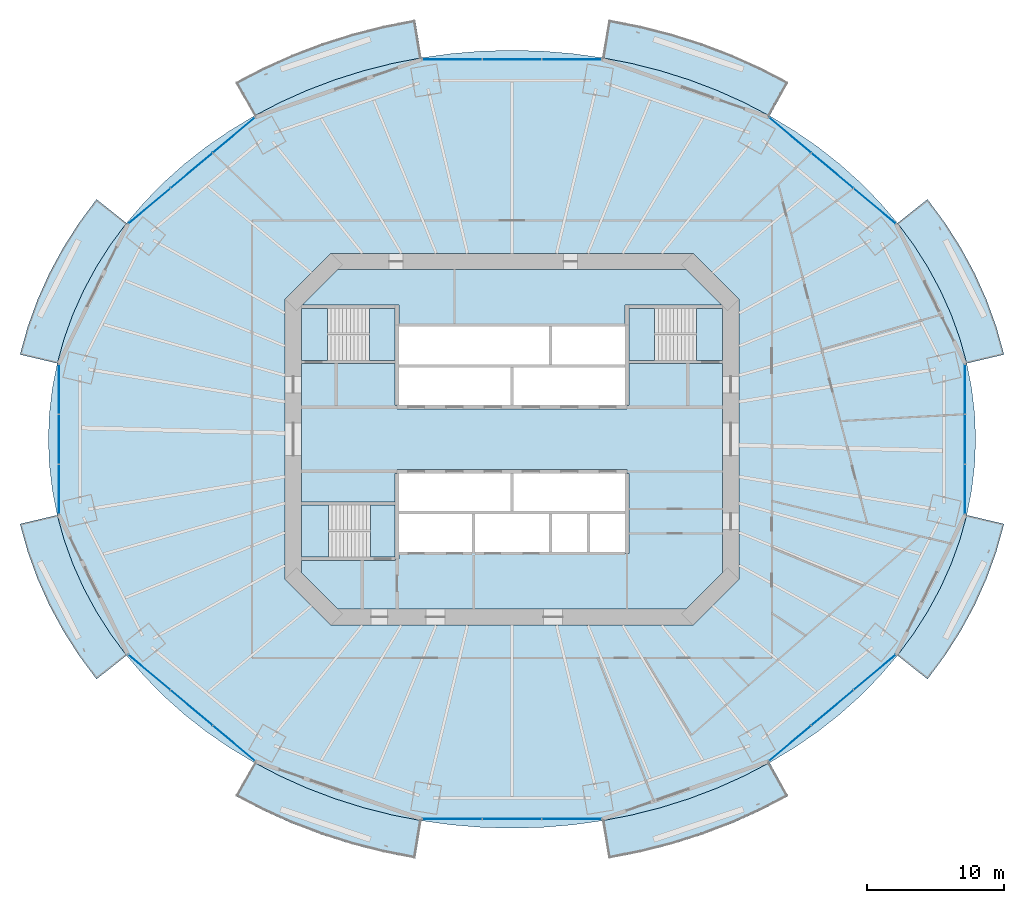
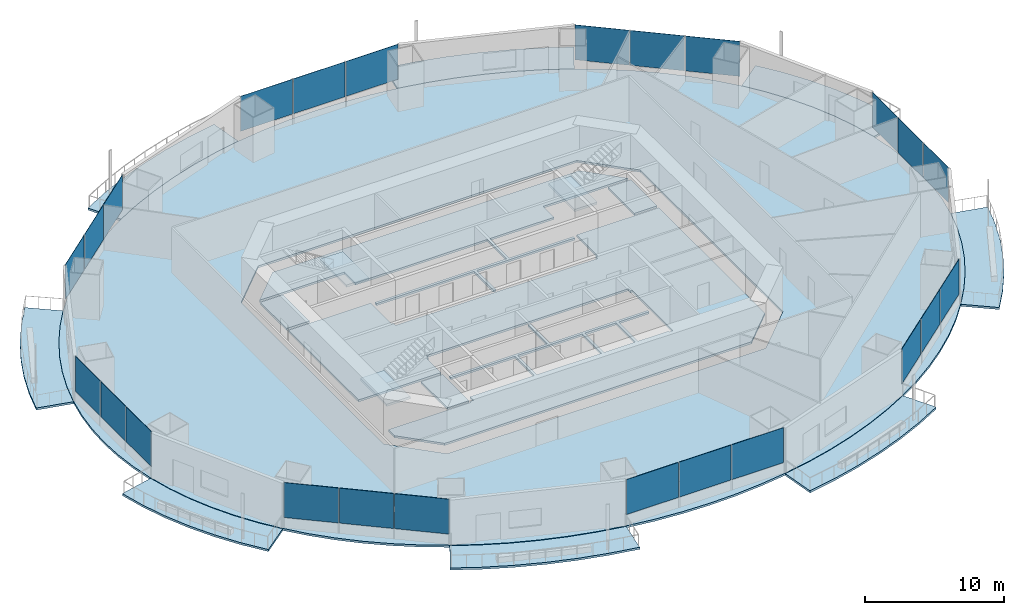
# One storey, part 12 of 21: 24 plates, 17 slabs, 11 elements without a shape of their own.
"""IFC4 building model written with IfcOpenShell, lengths in metres."""

import ifcopenshell
import ifcopenshell.guid

model = None  # the IFC model being written
_history = None  # IfcOwnerHistory: only IFC2X3 demands one
_inside = {}  # id of a spatial element -> (the spatial element, [elements in it])
_under = {}  # id of a project, library or spatial element -> (it, [spatial elements below it])
_declared = {}  # id of a project -> (the project, [libraries it declares])
_typed = {}  # id of a type object -> (the type object, [elements of that type])
_made_of = {}  # id of a material, layer set ... -> (it, [elements and type objects made of it])


def new_model(schema):
    """Start an empty IFC model of exactly this schema.

    Asked for "IFC4X3", IfcOpenShell would pick the latest addendum, in which some entities
    have other attributes; the version numbers below select the first issue.
    IFC2X3 requires an IfcOwnerHistory on every rooted entity: one is made here for all.
    """
    global model, _history
    if schema == "IFC4X3":
        model = ifcopenshell.file(schema_version=(4, 3, 0, 0))
    else:
        model = ifcopenshell.file(schema=schema)
    _inside.clear()
    _under.clear()
    _declared.clear()
    _typed.clear()
    _made_of.clear()
    _history = None
    if model.schema == "IFC2X3":
        org = make("IfcOrganization", Name="unknown")
        user = make(
            "IfcPersonAndOrganization",
            ThePerson=make("IfcPerson", FamilyName="unknown"),
            TheOrganization=org,
        )
        app = make(
            "IfcApplication",
            ApplicationDeveloper=org,
            Version="unknown",
            ApplicationFullName="unknown",
            ApplicationIdentifier="unknown",
        )
        _history = make(
            "IfcOwnerHistory",
            OwningUser=user,
            OwningApplication=app,
            ChangeAction="ADDED",
            CreationDate=0,
        )
    return model


def make(cls, **values):
    """One entity of the class cls with the attributes given. An attribute that is None is left unset."""
    return model.create_entity(
        cls, **{name: value for name, value in values.items() if value is not None}
    )


def rooted(cls, **values):
    """An entity with a GlobalId (a new one), such as an element, a storey or a relation."""
    return make(cls, GlobalId=ifcopenshell.guid.new(), OwnerHistory=_history, **values)


def si_unit(unit_type, name, prefix=None):
    """IfcSIUnit, for example si_unit("LENGTHUNIT", "METRE", prefix="MILLI")."""
    return make("IfcSIUnit", UnitType=unit_type, Prefix=prefix, Name=name)


def assignment(units):
    """IfcUnitAssignment: the units of a project."""
    return None if units is None else make("IfcUnitAssignment", Units=units)


def point(xyz):
    """IfcCartesianPoint."""
    return None if xyz is None else make("IfcCartesianPoint", Coordinates=xyz)


def direction(xyz):
    """IfcDirection."""
    return None if xyz is None else make("IfcDirection", DirectionRatios=xyz)


def frame(location, z_axis=None, x_axis=None):
    """IfcAxis2Placement3D, a coordinate frame: its origin and axes. An axis left out is left unset."""
    return make(
        "IfcAxis2Placement3D",
        Location=point(location),
        Axis=direction(z_axis),
        RefDirection=direction(x_axis),
    )


def frame_2d(location, x_axis=None):
    """IfcAxis2Placement2D, a coordinate frame in the plane: its origin and x axis."""
    return make(
        "IfcAxis2Placement2D", Location=point(location), RefDirection=direction(x_axis)
    )


def origin():
    """The frame at (0, 0, 0) with its axes left unset."""
    return frame((0.0, 0.0, 0.0))


def origin_2d():
    """The frame at (0, 0) in the plane with its x axis left unset."""
    return frame_2d((0.0, 0.0))


def place(relative_to, where):
    """IfcLocalPlacement: puts the frame where relative to a parent placement (None: the world)."""
    return make(
        "IfcLocalPlacement", PlacementRelTo=relative_to, RelativePlacement=where
    )


def context(
    kind, dimensions, precision=None, world=None, true_north=None, identifier=None
):
    """IfcGeometricRepresentationContext, for example the 3D "Model" context."""
    return make(
        "IfcGeometricRepresentationContext",
        ContextIdentifier=identifier,
        ContextType=kind,
        CoordinateSpaceDimension=dimensions,
        Precision=precision,
        WorldCoordinateSystem=world,
        TrueNorth=true_north,
    )


def subcontext(parent, identifier, kind, view, scale=None):
    """IfcGeometricRepresentationSubContext, for example "Body" below "Model"."""
    return make(
        "IfcGeometricRepresentationSubContext",
        ContextIdentifier=identifier,
        ContextType=kind,
        ParentContext=parent,
        TargetScale=scale,
        TargetView=view,
    )


def project(units=None, contexts=None):
    """IfcProject with its units and contexts."""
    return rooted(
        "IfcProject",
        Name="project",
        RepresentationContexts=contexts,
        UnitsInContext=assignment(units),
    )


def spatial(cls, under=None, at=None, **own):
    """A site, building, storey or space (cls), placed at a placement, below another one or the project."""
    s = rooted(cls, ObjectPlacement=at, **own)
    if under is not None:
        _under.setdefault(under.id(), (under, []))[1].append(s)
    return s


def polyline(points):
    """IfcPolyline through the points."""
    return make("IfcPolyline", Points=[point(p) for p in points])


def profile(cls, at=None, kind="AREA", **sizes):
    """A parametric profile (cls). Its sizes go by their IFC names, for example OverallWidth=200.0."""
    return make(cls, ProfileType=kind, Position=at, **sizes)


def rectangle(**sizes):
    """IfcRectangleProfileDef."""
    return profile("IfcRectangleProfileDef", **sizes)


def outline(outer, holes=None, kind="AREA"):
    """IfcArbitraryClosedProfileDef: a profile drawn as a closed curve; with holes, ...WithVoids."""
    if holes is None:
        return make("IfcArbitraryClosedProfileDef", ProfileType=kind, OuterCurve=outer)
    return make(
        "IfcArbitraryProfileDefWithVoids",
        ProfileType=kind,
        OuterCurve=outer,
        InnerCurves=holes,
    )


def extrude(swept, where, along, depth):
    """IfcExtrudedAreaSolid: the profile swept, set in the frame where, extruded along a direction by depth."""
    return make(
        "IfcExtrudedAreaSolid",
        SweptArea=swept,
        Position=where,
        ExtrudedDirection=direction(along),
        Depth=depth,
    )


def shape(context_of_items, identifier, shape_type, items):
    """IfcShapeRepresentation: the items that make up one representation, for example the "Body"."""
    return make(
        "IfcShapeRepresentation",
        ContextOfItems=context_of_items,
        RepresentationIdentifier=identifier,
        RepresentationType=shape_type,
        Items=items,
    )


def material(Name=None, Category=None):
    """IfcMaterial."""
    return make("IfcMaterial", Name=Name, Category=Category)


def layer(
    of_material, thickness, ventilated=None, Name=None, Category=None, Priority=None
):
    """IfcMaterialLayer: one layer of a wall or slab, of a material (None: an air gap)."""
    return make(
        "IfcMaterialLayer",
        Material=of_material,
        LayerThickness=thickness,
        IsVentilated=ventilated,
        Name=Name,
        Category=Category,
        Priority=Priority,
    )


def layer_set(layers, Name=None):
    """IfcMaterialLayerSet."""
    return make("IfcMaterialLayerSet", MaterialLayers=layers, LayerSetName=Name)


def made_of(thing, what):
    """Note that an element or type object is made of a material, layer set ...; save() writes the relation."""
    if what is not None:
        _made_of.setdefault(what.id(), (what, []))[1].append(thing)
    return thing


def type_object(cls, material=None, **own):
    """A type object (cls), such as IfcWallType, which elements share."""
    return made_of(rooted(cls, **own), material)


def element(
    cls,
    number,
    at=None,
    inside=None,
    cuts=None,
    type_object=None,
    material=None,
    context=None,
    identifier="Body",
    shape_type=None,
    held_by="IfcProductDefinitionShape",
    body=None,
    shapes=None,
    **own,
):
    """One element of the class cls, such as IfcWall. Its Tag is "e" and its number.

    at: its placement. inside: the storey or other place that contains it. cuts: it is an
    opening in that element (IfcRelVoidsElement). A single representation is given by context,
    identifier, shape_type and body (its items); several are given by shapes. held_by: the class
    of the entity that holds the representations. save() writes the other relations.
    """
    e = rooted(cls, Tag="e%d" % number, ObjectPlacement=at, **own)
    if body is not None:
        shapes = [shape(context, identifier, shape_type, body)]
    if shapes is not None:
        e.Representation = make(held_by, Representations=shapes)
    if inside is not None:
        _inside.setdefault(inside.id(), (inside, []))[1].append(e)
    if cuts is not None:
        rooted(
            "IfcRelVoidsElement", RelatingBuildingElement=cuts, RelatedOpeningElement=e
        )
    if type_object is not None:
        _typed.setdefault(type_object.id(), (type_object, []))[1].append(e)
    return made_of(e, material)


def aggregate(whole, parts):
    """IfcRelAggregates: a whole, such as a stair, and the parts it consists of."""
    return rooted("IfcRelAggregates", RelatingObject=whole, RelatedObjects=parts)


def save(model, path):
    """Write the relations noted so far, then the file.

    IfcRelAggregates (storeys below a building ...), IfcRelContainedInSpatialStructure (elements
    in a storey), IfcRelDefinesByType, IfcRelAssociatesMaterial and IfcRelDeclares: one each for
    every whole, place, type object, material and project.
    """
    for whole, parts in _under.values():
        aggregate(whole, parts)
    for where, things in _inside.values():
        rooted(
            "IfcRelContainedInSpatialStructure",
            RelatedElements=things,
            RelatingStructure=where,
        )
    for kind, things in _typed.values():
        rooted("IfcRelDefinesByType", RelatedObjects=things, RelatingType=kind)
    for what, things in _made_of.values():
        rooted("IfcRelAssociatesMaterial", RelatedObjects=things, RelatingMaterial=what)
    for by, libraries in _declared.values():
        rooted("IfcRelDeclares", RelatingContext=by, RelatedDefinitions=libraries)
    model.write(path)


model = new_model("IFC4")

# Units and contexts
model_context = context("Model", 3, precision=1e-05, world=origin(), true_north=direction((0.0, 1.0)))
body_context = subcontext(model_context, "Body", "Model", "MODEL_VIEW")
ifc_project = project(units=[si_unit("LENGTHUNIT", "METRE"), si_unit("AREAUNIT", "SQUARE_METRE"), si_unit("VOLUMEUNIT", "CUBIC_METRE"), si_unit("PLANEANGLEUNIT", "RADIAN"), si_unit("MASSUNIT", "GRAM", prefix="KILO")], contexts=[model_context])

# Site, building, storey
site_placement = place(None, origin())
site = spatial("IfcSite", under=ifc_project, at=site_placement, CompositionType="ELEMENT")
building_placement = place(site_placement, origin())
building = spatial("IfcBuilding", under=site, at=building_placement, Name="Marenthal Gate Tower", CompositionType="ELEMENT")
storey_placement = place(building_placement, frame((0.0, 0.0, 120.14990234375)))
storey = spatial("IfcBuildingStorey", under=building, at=storey_placement, Name="L25", CompositionType="ELEMENT", Elevation=120.14990234375)

# Slabs
ifc_material_1 = material(Name="Concrete 40 MPa", Category="concrete")
ifc_layer_1 = layer(ifc_material_1, 0.179931640625)
ifc_layer_set_1 = layer_set([ifc_layer_1], Name="Balcony deck 180")
slab_type_1 = type_object("IfcSlabType", Name="Balcony deck 180", PredefinedType="USERDEFINED", material=ifc_layer_set_1)
slab_1_placement = place(storey_placement, frame((0.0, 0.0, -0.219970703125)))
element("IfcSlab", 1, at=slab_1_placement, inside=storey, type_object=slab_type_1, Name="Balcony deck L25 bay 1", ObjectType="BALCONY", PredefinedType="USERDEFINED", context=body_context, shape_type="SweptSolid", body=[
    extrude(outline(polyline([(33.25244140625, 5.548828125), (32.748779296875, 7.361328125), (32.104736328125, 9.142333984375), (31.3232421875, 10.88427734375), (30.40771484375, 12.57958984375), (29.36181640625, 14.220947265625), (28.190185546875, 15.801513671875), (30.38037109375, 17.5458984375), (31.668212890625, 15.808349609375), (32.821533203125, 13.99853515625), (33.833740234375, 12.1240234375), (34.7001953125, 10.192626953125), (35.416015625, 8.213134765625), (35.97705078125, 6.19482421875), (33.25244140625, 5.548828125)])), origin(), (0.0, 0.0, 1.0), 0.18017578125),
])
slab_2_placement = place(storey_placement, frame((0.0, 0.0, -0.219970703125)))
element("IfcSlab", 2, at=slab_2_placement, inside=storey, type_object=slab_type_1, Name="Balcony deck L25 bay 3", ObjectType="BALCONY", PredefinedType="USERDEFINED", context=body_context, shape_type="SweptSolid", body=[
    extrude(outline(polyline([(18.836181640625, 23.648681640625), (16.951904296875, 24.631591796875), (14.995361328125, 25.5087890625), (12.974609375, 26.277099609375), (10.898193359375, 26.9326171875), (8.77490234375, 27.472900390625), (6.6142578125, 27.8955078125), (7.0751953125, 30.6572265625), (9.38916015625, 30.204833984375), (11.6650390625, 29.62548828125), (13.8935546875, 28.921875), (16.065673828125, 28.09619140625), (18.172607421875, 27.1513671875), (20.205078125, 26.091064453125), (18.836181640625, 23.648681640625)])), origin(), (0.0, 0.0, 1.0), 0.18017578125),
])
slab_3_placement = place(storey_placement, frame((0.0, 0.0, -0.219970703125)))
element("IfcSlab", 3, at=slab_3_placement, inside=storey, type_object=slab_type_1, Name="Balcony deck L25 bay 5", ObjectType="BALCONY", PredefinedType="USERDEFINED", context=body_context, shape_type="SweptSolid", body=[
    extrude(outline(polyline([(-6.6142578125, 27.8955078125), (-8.77490234375, 27.472900390625), (-10.898193359375, 26.9326171875), (-12.974609375, 26.277099609375), (-14.995361328125, 25.5087890625), (-16.951904296875, 24.631591796875), (-18.836181640625, 23.648681640625), (-20.205078125, 26.091064453125), (-18.172607421875, 27.1513671875), (-16.065673828125, 28.09619140625), (-13.8935546875, 28.921875), (-11.6650390625, 29.62548828125), (-9.38916015625, 30.204833984375), (-7.0751953125, 30.6572265625), (-6.6142578125, 27.8955078125)])), origin(), (0.0, 0.0, 1.0), 0.18017578125),
])
slab_4_placement = place(storey_placement, frame((0.0, 0.0, -0.219970703125)))
element("IfcSlab", 4, at=slab_4_placement, inside=storey, type_object=slab_type_1, Name="Balcony deck L25 bay 7", ObjectType="BALCONY", PredefinedType="USERDEFINED", context=body_context, shape_type="SweptSolid", body=[
    extrude(outline(polyline([(-28.190185546875, 15.801513671875), (-29.36181640625, 14.220947265625), (-30.40771484375, 12.57958984375), (-31.3232421875, 10.88427734375), (-32.104736328125, 9.142333984375), (-32.748779296875, 7.361328125), (-33.25244140625, 5.548828125), (-35.97705078125, 6.19482421875), (-35.416015625, 8.213134765625), (-34.7001953125, 10.192626953125), (-33.833740234375, 12.1240234375), (-32.821533203125, 13.99853515625), (-31.668212890625, 15.808349609375), (-30.38037109375, 17.5458984375), (-28.190185546875, 15.801513671875)])), origin(), (0.0, 0.0, 1.0), 0.18017578125),
])
slab_5_placement = place(storey_placement, frame((0.0, 0.0, -0.219970703125)))
element("IfcSlab", 5, at=slab_5_placement, inside=storey, type_object=slab_type_1, Name="Balcony deck L25 bay 9", ObjectType="BALCONY", PredefinedType="USERDEFINED", context=body_context, shape_type="SweptSolid", body=[
    extrude(outline(polyline([(-33.25244140625, -5.548828125), (-32.748779296875, -7.361328125), (-32.104736328125, -9.142333984375), (-31.3232421875, -10.88427734375), (-30.40771484375, -12.57958984375), (-29.36181640625, -14.220947265625), (-28.190185546875, -15.801513671875), (-30.38037109375, -17.5458984375), (-31.668212890625, -15.808349609375), (-32.821533203125, -13.99853515625), (-33.833740234375, -12.1240234375), (-34.7001953125, -10.192626953125), (-35.416015625, -8.213134765625), (-35.97705078125, -6.19482421875), (-33.25244140625, -5.548828125)])), origin(), (0.0, 0.0, 1.0), 0.18017578125),
])
slab_6_placement = place(storey_placement, frame((0.0, 0.0, -0.219970703125)))
element("IfcSlab", 6, at=slab_6_placement, inside=storey, type_object=slab_type_1, Name="Balcony deck L25 bay 11", ObjectType="BALCONY", PredefinedType="USERDEFINED", context=body_context, shape_type="SweptSolid", body=[
    extrude(outline(polyline([(-18.836181640625, -23.648681640625), (-16.951904296875, -24.631591796875), (-14.995361328125, -25.5087890625), (-12.974609375, -26.277099609375), (-10.898193359375, -26.9326171875), (-8.77490234375, -27.472900390625), (-6.6142578125, -27.8955078125), (-7.0751953125, -30.6572265625), (-9.38916015625, -30.204833984375), (-11.6650390625, -29.62548828125), (-13.8935546875, -28.921875), (-16.065673828125, -28.09619140625), (-18.172607421875, -27.1513671875), (-20.205078125, -26.091064453125), (-18.836181640625, -23.648681640625)])), origin(), (0.0, 0.0, 1.0), 0.18017578125),
])
slab_7_placement = place(storey_placement, frame((0.0, 0.0, -0.219970703125)))
element("IfcSlab", 7, at=slab_7_placement, inside=storey, type_object=slab_type_1, Name="Balcony deck L25 bay 13", ObjectType="BALCONY", PredefinedType="USERDEFINED", context=body_context, shape_type="SweptSolid", body=[
    extrude(outline(polyline([(6.6142578125, -27.8955078125), (8.77490234375, -27.472900390625), (10.898193359375, -26.9326171875), (12.974609375, -26.277099609375), (14.995361328125, -25.5087890625), (16.951904296875, -24.631591796875), (18.836181640625, -23.648681640625), (20.205078125, -26.091064453125), (18.172607421875, -27.1513671875), (16.065673828125, -28.09619140625), (13.8935546875, -28.921875), (11.6650390625, -29.62548828125), (9.38916015625, -30.204833984375), (7.0751953125, -30.6572265625), (6.6142578125, -27.8955078125)])), origin(), (0.0, 0.0, 1.0), 0.18017578125),
])
slab_8_placement = place(storey_placement, frame((0.0, 0.0, -0.219970703125)))
element("IfcSlab", 8, at=slab_8_placement, inside=storey, type_object=slab_type_1, Name="Balcony deck L25 bay 15", ObjectType="BALCONY", PredefinedType="USERDEFINED", context=body_context, shape_type="SweptSolid", body=[
    extrude(outline(polyline([(28.190185546875, -15.801513671875), (29.36181640625, -14.220947265625), (30.40771484375, -12.57958984375), (31.3232421875, -10.88427734375), (32.104736328125, -9.142333984375), (32.748779296875, -7.361328125), (33.25244140625, -5.548828125), (35.97705078125, -6.19482421875), (35.416015625, -8.213134765625), (34.7001953125, -10.192626953125), (33.833740234375, -12.1240234375), (32.821533203125, -13.99853515625), (31.668212890625, -15.808349609375), (30.38037109375, -17.5458984375), (28.190185546875, -15.801513671875)])), origin(), (0.0, 0.0, 1.0), 0.18017578125),
])
ifc_material_2 = material(Name="Concrete 50 MPa", Category="concrete")
ifc_layer_2 = layer(ifc_material_2, 0.179931640625)
ifc_layer_set_2 = layer_set([ifc_layer_2], Name="Core floor slab 180")
slab_type_2 = type_object("IfcSlabType", Name="Core floor slab 180", PredefinedType="FLOOR", material=ifc_layer_set_2)
slab_9_placement = place(storey_placement, frame((0.0, 0.0, -0.179931640625)))
element("IfcSlab", 9, at=slab_9_placement, inside=storey, type_object=slab_type_2, Name="Core floor L25", PredefinedType="FLOOR", context=body_context, shape_type="SweptSolid", body=[
    extrude(outline(polyline([(15.39990234375, -9.75146484375), (12.75146484375, -12.39990234375), (-12.75146484375, -12.39990234375), (-15.39990234375, -9.75146484375), (-15.39990234375, -8.875), (-8.550048828125, -8.875), (-8.550048828125, -8.75), (-8.25, -8.75), (-8.25, -8.239990234375), (-5.60009765625, -8.239990234375), (-2.909912109375, -8.239990234375), (-2.909912109375, -5.4599609375), (-5.60009765625, -5.4599609375), (-8.25, -5.4599609375), (-8.25, -5.239990234375), (-5.60009765625, -5.239990234375), (-2.800048828125, -5.239990234375), (-0.110107421875, -5.239990234375), (-0.110107421875, -2.5), (0.110107421875, -2.5), (0.110107421875, -5.239990234375), (2.800048828125, -5.239990234375), (5.60009765625, -5.239990234375), (8.25, -5.239990234375), (8.25, -5.4599609375), (5.7099609375, -5.4599609375), (5.7099609375, -8.239990234375), (8.25, -8.239990234375), (8.25, -8.35009765625), (8.550048828125, -8.35009765625), (8.550048828125, -2.5), (8.39990234375, -2.5), (8.39990234375, -2.199951171875), (-8.39990234375, -2.199951171875), (-8.39990234375, -2.5), (-8.550048828125, -2.5), (-8.550048828125, -4.574951171875), (-15.39990234375, -4.574951171875), (-15.39990234375, 5.52490234375), (-8.550048828125, 5.52490234375), (-8.550048828125, 2.5), (-8.39990234375, 2.5), (-8.39990234375, 2.199951171875), (8.39990234375, 2.199951171875), (8.39990234375, 2.5), (8.550048828125, 2.5), (8.550048828125, 5.52490234375), (15.39990234375, 5.52490234375), (15.39990234375, -9.75146484375)]), holes=[polyline([(2.68994140625, -5.4599609375), (0.0, -5.4599609375), (-2.68994140625, -5.4599609375), (-2.68994140625, -8.239990234375), (0.0, -8.239990234375), (2.68994140625, -8.239990234375), (2.68994140625, -5.4599609375)]), polyline([(5.489990234375, -5.4599609375), (2.909912109375, -5.4599609375), (2.909912109375, -8.239990234375), (5.489990234375, -8.239990234375), (5.489990234375, -5.4599609375)])]), origin(), (0.0, 0.0, 1.0), 0.179931640625),
])
slab_10_placement = place(storey_placement, frame((0.0, 0.0, -0.179931640625)))
element("IfcSlab", 10, at=slab_10_placement, inside=storey, type_object=slab_type_2, Name="Core floor L25", PredefinedType="FLOOR", context=body_context, shape_type="SweptSolid", body=[
    extrude(outline(polyline([(15.39990234375, 5.77490234375), (13.5, 5.77490234375), (13.5, 9.574951171875), (15.39990234375, 9.574951171875), (15.39990234375, 5.77490234375)])), origin(), (0.0, 0.0, 1.0), 0.179931640625),
])
slab_11_placement = place(storey_placement, frame((0.0, 0.0, -0.179931640625)))
element("IfcSlab", 11, at=slab_11_placement, inside=storey, type_object=slab_type_2, Name="Core floor L25", PredefinedType="FLOOR", context=body_context, shape_type="SweptSolid", body=[
    extrude(outline(polyline([(12.75146484375, 12.39990234375), (15.326416015625, 9.824951171875), (8.550048828125, 9.824951171875), (8.25, 9.824951171875), (8.25, 8.35009765625), (8.25, 8.239990234375), (5.60009765625, 8.239990234375), (2.909912109375, 8.239990234375), (2.909912109375, 5.4599609375), (5.60009765625, 5.4599609375), (8.25, 5.4599609375), (8.25, 5.239990234375), (5.60009765625, 5.239990234375), (2.800048828125, 5.239990234375), (0.110107421875, 5.239990234375), (0.110107421875, 2.5), (-0.110107421875, 2.5), (-0.110107421875, 5.239990234375), (-2.800048828125, 5.239990234375), (-5.60009765625, 5.239990234375), (-8.25, 5.239990234375), (-8.25, 5.4599609375), (-5.60009765625, 5.4599609375), (-2.800048828125, 5.4599609375), (0.0, 5.4599609375), (2.68994140625, 5.4599609375), (2.68994140625, 8.239990234375), (0.0, 8.239990234375), (-2.800048828125, 8.239990234375), (-5.60009765625, 8.239990234375), (-8.25, 8.239990234375), (-8.25, 8.35009765625), (-8.25, 9.824951171875), (-8.550048828125, 9.824951171875), (-15.326416015625, 9.824951171875), (-12.75146484375, 12.39990234375), (12.75146484375, 12.39990234375)])), origin(), (0.0, 0.0, 1.0), 0.179931640625),
])
slab_12_placement = place(storey_placement, frame((0.0, 0.0, -0.179931640625)))
element("IfcSlab", 12, at=slab_12_placement, inside=storey, type_object=slab_type_2, Name="Core floor L25", PredefinedType="FLOOR", context=body_context, shape_type="SweptSolid", body=[
    extrude(outline(polyline([(-15.39990234375, 9.574951171875), (-13.5, 9.574951171875), (-13.5, 5.77490234375), (-15.39990234375, 5.77490234375), (-15.39990234375, 9.574951171875)])), origin(), (0.0, 0.0, 1.0), 0.179931640625),
])
slab_13_placement = place(storey_placement, frame((0.0, 0.0, -0.179931640625)))
element("IfcSlab", 13, at=slab_13_placement, inside=storey, type_object=slab_type_2, Name="Core floor L25", PredefinedType="FLOOR", context=body_context, shape_type="SweptSolid", body=[
    extrude(outline(polyline([(-8.550048828125, -8.625), (-10.35009765625, -8.625), (-10.35009765625, -4.824951171875), (-8.550048828125, -4.824951171875), (-8.550048828125, -8.625)])), origin(), (0.0, 0.0, 1.0), 0.179931640625),
])
ifc_material_3 = material(Name="Concrete 35 MPa", Category="concrete")
ifc_layer_3 = layer(ifc_material_3, 0.179931640625)
ifc_layer_set_3 = layer_set([ifc_layer_3], Name="Floor slab 180")
slab_type_3 = type_object("IfcSlabType", Name="Floor slab 180", PredefinedType="FLOOR", material=ifc_layer_set_3)
slab_14_placement = place(storey_placement, frame((0.0, 0.0, -0.179931640625)))
element("IfcSlab", 14, at=slab_14_placement, inside=storey, type_object=slab_type_3, Name="SL-L25-01", PredefinedType="FLOOR", context=body_context, shape_type="SweptSolid", body=[
    extrude(outline(polyline([(33.904052734375, 0.0), (33.831298828125, 1.860107421875), (33.614013671875, 3.71240234375), (33.25244140625, 5.548828125), (32.748779296875, 7.361328125), (32.104736328125, 9.142333984375), (31.3232421875, 10.88427734375), (30.40771484375, 12.57958984375), (29.36181640625, 14.220947265625), (28.190185546875, 15.801513671875), (26.89794921875, 17.314453125), (25.490478515625, 18.753173828125), (23.9736328125, 20.111572265625), (22.3544921875, 21.3837890625), (20.639404296875, 22.564697265625), (18.836181640625, 23.648681640625), (16.951904296875, 24.631591796875), (14.995361328125, 25.5087890625), (12.974609375, 26.277099609375), (10.898193359375, 26.9326171875), (8.77490234375, 27.472900390625), (6.6142578125, 27.8955078125), (4.42529296875, 28.19873046875), (2.21728515625, 28.381103515625), (0.0, 28.44189453125), (-2.21728515625, 28.381103515625), (-4.42529296875, 28.19873046875), (-6.6142578125, 27.8955078125), (-8.77490234375, 27.472900390625), (-10.898193359375, 26.9326171875), (-12.974609375, 26.277099609375), (-14.995361328125, 25.5087890625), (-16.951904296875, 24.631591796875), (-18.836181640625, 23.648681640625), (-20.639404296875, 22.564697265625), (-22.3544921875, 21.3837890625), (-23.9736328125, 20.111572265625), (-25.490478515625, 18.753173828125), (-26.89794921875, 17.314453125), (-28.190185546875, 15.801513671875), (-29.36181640625, 14.220947265625), (-30.40771484375, 12.57958984375), (-31.3232421875, 10.88427734375), (-32.104736328125, 9.142333984375), (-32.748779296875, 7.361328125), (-33.25244140625, 5.548828125), (-33.614013671875, 3.71240234375), (-33.831298828125, 1.860107421875), (-33.904052734375, 0.0), (-33.831298828125, -1.860107421875), (-33.614013671875, -3.71240234375), (-33.25244140625, -5.548828125), (-32.748779296875, -7.361328125), (-32.104736328125, -9.142333984375), (-31.3232421875, -10.88427734375), (-30.40771484375, -12.57958984375), (-29.36181640625, -14.220947265625), (-28.190185546875, -15.801513671875), (-26.89794921875, -17.314453125), (-25.490478515625, -18.753173828125), (-23.9736328125, -20.111572265625), (-22.3544921875, -21.3837890625), (-20.639404296875, -22.564697265625), (-18.836181640625, -23.648681640625), (-16.951904296875, -24.631591796875), (-14.995361328125, -25.5087890625), (-12.974609375, -26.277099609375), (-10.898193359375, -26.9326171875), (-8.77490234375, -27.472900390625), (-6.6142578125, -27.8955078125), (-4.42529296875, -28.19873046875), (-2.21728515625, -28.381103515625), (0.0, -28.44189453125), (2.21728515625, -28.381103515625), (4.42529296875, -28.19873046875), (6.6142578125, -27.8955078125), (8.77490234375, -27.472900390625), (10.898193359375, -26.9326171875), (12.974609375, -26.277099609375), (14.995361328125, -25.5087890625), (16.951904296875, -24.631591796875), (18.836181640625, -23.648681640625), (20.639404296875, -22.564697265625), (22.3544921875, -21.3837890625), (23.9736328125, -20.111572265625), (25.490478515625, -18.753173828125), (26.89794921875, -17.314453125), (28.190185546875, -15.801513671875), (29.36181640625, -14.220947265625), (30.40771484375, -12.57958984375), (31.3232421875, -10.88427734375), (32.104736328125, -9.142333984375), (32.748779296875, -7.361328125), (33.25244140625, -5.548828125), (33.614013671875, -3.71240234375), (33.831298828125, -1.860107421875), (33.904052734375, 0.0)]), holes=[polyline([(13.24853515625, -13.60009765625), (16.60009765625, -10.24853515625), (16.60009765625, 10.24853515625), (13.24853515625, 13.60009765625), (-13.24853515625, 13.60009765625), (-16.60009765625, 10.24853515625), (-16.60009765625, -10.24853515625), (-13.24853515625, -13.60009765625), (13.24853515625, -13.60009765625)])]), origin(), (0.0, 0.0, 1.0), 0.179931640625),
])

# Curtain wall, plates
ifc_material_4 = material(Name="Aluminium and glass", Category="aluminium")
curtain_wall_type = type_object("IfcCurtainWallType", Name="Curtain wall typical low", PredefinedType="NOTDEFINED", material=ifc_material_4)
curtain_wall_1_placement = place(storey_placement, origin())
curtain_wall_1 = element("IfcCurtainWall", 15, at=curtain_wall_1_placement, inside=storey, type_object=curtain_wall_type, Name="Curtain wall L25 bay 2", PredefinedType="NOTDEFINED")
ifc_material_5 = material(Name="Glass, laminated insulating unit", Category="glass")
ifc_layer_4 = layer(ifc_material_5, 0.030029296875)
ifc_layer_set_4 = layer_set([ifc_layer_4], Name="Glass panel 30 typical low")
plate_type = type_object("IfcPlateType", Name="Glass panel 30 typical low", PredefinedType="CURTAIN_PANEL", material=ifc_layer_set_4)
plate_1_placement = place(storey_placement, frame((26.521484375, 17.050048828125, 0.89990234375), z_axis=(0.0, 0.0, 1.0), x_axis=(-0.766337774817, 0.642437868504, 0.0)))
plate_1 = element("IfcPlate", 16, at=plate_1_placement, type_object=plate_type, Name="Glass panel L25 bay 2.1", PredefinedType="CURTAIN_PANEL", context=body_context, shape_type="SweptSolid", body=[
    extrude(rectangle(XDim=3.974365234375, YDim=0.030029296875, at=origin_2d()), origin(), (0.0, 0.0, 1.0), 3.070068359375),
])
plate_2_placement = place(storey_placement, frame((23.429931640625, 19.641845703125, 0.89990234375), z_axis=(0.0, 0.0, 1.0), x_axis=(-0.766337774817, 0.642437868504, 0.0)))
plate_2 = element("IfcPlate", 17, at=plate_2_placement, type_object=plate_type, Name="Glass panel L25 bay 2.2", PredefinedType="CURTAIN_PANEL", context=body_context, shape_type="SweptSolid", body=[
    extrude(rectangle(XDim=3.974365234375, YDim=0.030029296875, at=origin_2d()), origin(), (0.0, 0.0, 1.0), 3.070068359375),
])
plate_3_placement = place(storey_placement, frame((20.338134765625, 22.233642578125, 0.89990234375), z_axis=(0.0, 0.0, 1.0), x_axis=(-0.766337774817, 0.642437868504, 0.0)))
plate_3 = element("IfcPlate", 18, at=plate_3_placement, type_object=plate_type, Name="Glass panel L25 bay 2.3", PredefinedType="CURTAIN_PANEL", context=body_context, shape_type="SweptSolid", body=[
    extrude(rectangle(XDim=3.974365234375, YDim=0.030029296875, at=origin_2d()), origin(), (0.0, 0.0, 1.0), 3.070068359375),
])
aggregate(curtain_wall_1, [plate_1, plate_2, plate_3])

curtain_wall_2_placement = place(storey_placement, origin())
curtain_wall_2 = element("IfcCurtainWall", 19, at=curtain_wall_2_placement, inside=storey, type_object=curtain_wall_type, Name="Curtain wall L25 bay 4", PredefinedType="NOTDEFINED")
plate_4_placement = place(storey_placement, frame((4.3740234375, 27.77783203125, 0.89990234375), z_axis=(0.0, 0.0, 1.0), x_axis=(-1.0, 0.0, 0.0)))
plate_4 = element("IfcPlate", 20, at=plate_4_placement, type_object=plate_type, Name="Glass panel L25 bay 4.1", PredefinedType="CURTAIN_PANEL", context=body_context, shape_type="SweptSolid", body=[
    extrude(rectangle(XDim=4.31396484375, YDim=0.030029296875, at=origin_2d()), origin(), (0.0, 0.0, 1.0), 3.070068359375),
])
plate_5_placement = place(storey_placement, frame((0.0, 27.77783203125, 0.89990234375), z_axis=(0.0, 0.0, 1.0), x_axis=(-1.0, 0.0, 0.0)))
plate_5 = element("IfcPlate", 21, at=plate_5_placement, type_object=plate_type, Name="Glass panel L25 bay 4.2", PredefinedType="CURTAIN_PANEL", context=body_context, shape_type="SweptSolid", body=[
    extrude(rectangle(XDim=4.31396484375, YDim=0.030029296875, at=origin_2d()), origin(), (0.0, 0.0, 1.0), 3.070068359375),
])
plate_6_placement = place(storey_placement, frame((-4.3740234375, 27.77783203125, 0.89990234375), z_axis=(0.0, 0.0, 1.0), x_axis=(-1.0, 0.0, 0.0)))
plate_6 = element("IfcPlate", 22, at=plate_6_placement, type_object=plate_type, Name="Glass panel L25 bay 4.3", PredefinedType="CURTAIN_PANEL", context=body_context, shape_type="SweptSolid", body=[
    extrude(rectangle(XDim=4.31396484375, YDim=0.030029296875, at=origin_2d()), origin(), (0.0, 0.0, 1.0), 3.070068359375),
])
aggregate(curtain_wall_2, [plate_4, plate_5, plate_6])

curtain_wall_3_placement = place(storey_placement, origin())
curtain_wall_3 = element("IfcCurtainWall", 23, at=curtain_wall_3_placement, inside=storey, type_object=curtain_wall_type, Name="Curtain wall L25 bay 6", PredefinedType="NOTDEFINED")
plate_7_placement = place(storey_placement, frame((-20.338134765625, 22.233642578125, 0.89990234375), z_axis=(0.0, 0.0, 1.0), x_axis=(-0.766337774817, -0.642437868504, 0.0)))
plate_7 = element("IfcPlate", 24, at=plate_7_placement, type_object=plate_type, Name="Glass panel L25 bay 6.1", PredefinedType="CURTAIN_PANEL", context=body_context, shape_type="SweptSolid", body=[
    extrude(rectangle(XDim=3.974365234375, YDim=0.030029296875, at=origin_2d()), origin(), (0.0, 0.0, 1.0), 3.070068359375),
])
plate_8_placement = place(storey_placement, frame((-23.429931640625, 19.641845703125, 0.89990234375), z_axis=(0.0, 0.0, 1.0), x_axis=(-0.766337774817, -0.642437868504, 0.0)))
plate_8 = element("IfcPlate", 25, at=plate_8_placement, type_object=plate_type, Name="Glass panel L25 bay 6.2", PredefinedType="CURTAIN_PANEL", context=body_context, shape_type="SweptSolid", body=[
    extrude(rectangle(XDim=3.974365234375, YDim=0.030029296875, at=origin_2d()), origin(), (0.0, 0.0, 1.0), 3.070068359375),
])
plate_9_placement = place(storey_placement, frame((-26.521484375, 17.050048828125, 0.89990234375), z_axis=(0.0, 0.0, 1.0), x_axis=(-0.766337774817, -0.642437868504, 0.0)))
plate_9 = element("IfcPlate", 26, at=plate_9_placement, type_object=plate_type, Name="Glass panel L25 bay 6.3", PredefinedType="CURTAIN_PANEL", context=body_context, shape_type="SweptSolid", body=[
    extrude(rectangle(XDim=3.974365234375, YDim=0.030029296875, at=origin_2d()), origin(), (0.0, 0.0, 1.0), 3.070068359375),
])
aggregate(curtain_wall_3, [plate_7, plate_8, plate_9])

curtain_wall_4_placement = place(storey_placement, origin())
curtain_wall_4 = element("IfcCurtainWall", 27, at=curtain_wall_4_placement, inside=storey, type_object=curtain_wall_type, Name="Curtain wall L25 bay 8", PredefinedType="NOTDEFINED")
plate_10_placement = place(storey_placement, frame((-33.134765625, 3.66357421875, 0.89990234375), z_axis=(0.0, 0.0, 1.0), x_axis=(0.0, -1.0, 0.0)))
plate_10 = element("IfcPlate", 28, at=plate_10_placement, type_object=plate_type, Name="Glass panel L25 bay 8.1", PredefinedType="CURTAIN_PANEL", context=body_context, shape_type="SweptSolid", body=[
    extrude(rectangle(XDim=3.603515625, YDim=0.030029296875, at=origin_2d()), origin(), (0.0, 0.0, 1.0), 3.070068359375),
])
plate_11_placement = place(storey_placement, frame((-33.134765625, 0.0, 0.89990234375), z_axis=(0.0, 0.0, 1.0), x_axis=(0.0, -1.0, 0.0)))
plate_11 = element("IfcPlate", 29, at=plate_11_placement, type_object=plate_type, Name="Glass panel L25 bay 8.2", PredefinedType="CURTAIN_PANEL", context=body_context, shape_type="SweptSolid", body=[
    extrude(rectangle(XDim=3.603515625, YDim=0.030029296875, at=origin_2d()), origin(), (0.0, 0.0, 1.0), 3.070068359375),
])
plate_12_placement = place(storey_placement, frame((-33.134765625, -3.66357421875, 0.89990234375), z_axis=(0.0, 0.0, 1.0), x_axis=(0.0, -1.0, 0.0)))
plate_12 = element("IfcPlate", 30, at=plate_12_placement, type_object=plate_type, Name="Glass panel L25 bay 8.3", PredefinedType="CURTAIN_PANEL", context=body_context, shape_type="SweptSolid", body=[
    extrude(rectangle(XDim=3.603515625, YDim=0.030029296875, at=origin_2d()), origin(), (0.0, 0.0, 1.0), 3.070068359375),
])
aggregate(curtain_wall_4, [plate_10, plate_11, plate_12])

curtain_wall_5_placement = place(storey_placement, origin())
curtain_wall_5 = element("IfcCurtainWall", 31, at=curtain_wall_5_placement, inside=storey, type_object=curtain_wall_type, Name="Curtain wall L25 bay 10", PredefinedType="NOTDEFINED")
plate_13_placement = place(storey_placement, frame((-26.521484375, -17.050048828125, 0.89990234375), z_axis=(0.0, 0.0, 1.0), x_axis=(0.766337774817, -0.642437868504, 0.0)))
plate_13 = element("IfcPlate", 32, at=plate_13_placement, type_object=plate_type, Name="Glass panel L25 bay 10.1", PredefinedType="CURTAIN_PANEL", context=body_context, shape_type="SweptSolid", body=[
    extrude(rectangle(XDim=3.974365234375, YDim=0.030029296875, at=origin_2d()), origin(), (0.0, 0.0, 1.0), 3.070068359375),
])
plate_14_placement = place(storey_placement, frame((-23.429931640625, -19.641845703125, 0.89990234375), z_axis=(0.0, 0.0, 1.0), x_axis=(0.766337774817, -0.642437868504, 0.0)))
plate_14 = element("IfcPlate", 33, at=plate_14_placement, type_object=plate_type, Name="Glass panel L25 bay 10.2", PredefinedType="CURTAIN_PANEL", context=body_context, shape_type="SweptSolid", body=[
    extrude(rectangle(XDim=3.974365234375, YDim=0.030029296875, at=origin_2d()), origin(), (0.0, 0.0, 1.0), 3.070068359375),
])
plate_15_placement = place(storey_placement, frame((-20.338134765625, -22.233642578125, 0.89990234375), z_axis=(0.0, 0.0, 1.0), x_axis=(0.766337774817, -0.642437868504, 0.0)))
plate_15 = element("IfcPlate", 34, at=plate_15_placement, type_object=plate_type, Name="Glass panel L25 bay 10.3", PredefinedType="CURTAIN_PANEL", context=body_context, shape_type="SweptSolid", body=[
    extrude(rectangle(XDim=3.974365234375, YDim=0.030029296875, at=origin_2d()), origin(), (0.0, 0.0, 1.0), 3.070068359375),
])
aggregate(curtain_wall_5, [plate_13, plate_14, plate_15])

curtain_wall_6_placement = place(storey_placement, origin())
curtain_wall_6 = element("IfcCurtainWall", 35, at=curtain_wall_6_placement, inside=storey, type_object=curtain_wall_type, Name="Curtain wall L25 bay 12", PredefinedType="NOTDEFINED")
plate_16_placement = place(storey_placement, frame((-4.3740234375, -27.77783203125, 0.89990234375), z_axis=(0.0, 0.0, 1.0), x_axis=(1.0, 0.0, 0.0)))
plate_16 = element("IfcPlate", 36, at=plate_16_placement, type_object=plate_type, Name="Glass panel L25 bay 12.1", PredefinedType="CURTAIN_PANEL", context=body_context, shape_type="SweptSolid", body=[
    extrude(rectangle(XDim=4.31396484375, YDim=0.030029296875, at=origin_2d()), origin(), (0.0, 0.0, 1.0), 3.070068359375),
])
plate_17_placement = place(storey_placement, frame((0.0, -27.77783203125, 0.89990234375), z_axis=(0.0, 0.0, 1.0), x_axis=(1.0, 0.0, 0.0)))
plate_17 = element("IfcPlate", 37, at=plate_17_placement, type_object=plate_type, Name="Glass panel L25 bay 12.2", PredefinedType="CURTAIN_PANEL", context=body_context, shape_type="SweptSolid", body=[
    extrude(rectangle(XDim=4.31396484375, YDim=0.030029296875, at=origin_2d()), origin(), (0.0, 0.0, 1.0), 3.070068359375),
])
plate_18_placement = place(storey_placement, frame((4.3740234375, -27.77783203125, 0.89990234375), z_axis=(0.0, 0.0, 1.0), x_axis=(1.0, 0.0, 0.0)))
plate_18 = element("IfcPlate", 38, at=plate_18_placement, type_object=plate_type, Name="Glass panel L25 bay 12.3", PredefinedType="CURTAIN_PANEL", context=body_context, shape_type="SweptSolid", body=[
    extrude(rectangle(XDim=4.31396484375, YDim=0.030029296875, at=origin_2d()), origin(), (0.0, 0.0, 1.0), 3.070068359375),
])
aggregate(curtain_wall_6, [plate_16, plate_17, plate_18])

curtain_wall_7_placement = place(storey_placement, origin())
curtain_wall_7 = element("IfcCurtainWall", 39, at=curtain_wall_7_placement, inside=storey, type_object=curtain_wall_type, Name="Curtain wall L25 bay 14", PredefinedType="NOTDEFINED")
plate_19_placement = place(storey_placement, frame((20.338134765625, -22.233642578125, 0.89990234375), z_axis=(0.0, 0.0, 1.0), x_axis=(0.766337774817, 0.642437868504, 0.0)))
plate_19 = element("IfcPlate", 40, at=plate_19_placement, type_object=plate_type, Name="Glass panel L25 bay 14.1", PredefinedType="CURTAIN_PANEL", context=body_context, shape_type="SweptSolid", body=[
    extrude(rectangle(XDim=3.974365234375, YDim=0.030029296875, at=origin_2d()), origin(), (0.0, 0.0, 1.0), 3.070068359375),
])
plate_20_placement = place(storey_placement, frame((23.429931640625, -19.641845703125, 0.89990234375), z_axis=(0.0, 0.0, 1.0), x_axis=(0.766337774817, 0.642437868504, 0.0)))
plate_20 = element("IfcPlate", 41, at=plate_20_placement, type_object=plate_type, Name="Glass panel L25 bay 14.2", PredefinedType="CURTAIN_PANEL", context=body_context, shape_type="SweptSolid", body=[
    extrude(rectangle(XDim=3.974365234375, YDim=0.030029296875, at=origin_2d()), origin(), (0.0, 0.0, 1.0), 3.070068359375),
])
plate_21_placement = place(storey_placement, frame((26.521484375, -17.050048828125, 0.89990234375), z_axis=(0.0, 0.0, 1.0), x_axis=(0.766337774817, 0.642437868504, 0.0)))
plate_21 = element("IfcPlate", 42, at=plate_21_placement, type_object=plate_type, Name="Glass panel L25 bay 14.3", PredefinedType="CURTAIN_PANEL", context=body_context, shape_type="SweptSolid", body=[
    extrude(rectangle(XDim=3.974365234375, YDim=0.030029296875, at=origin_2d()), origin(), (0.0, 0.0, 1.0), 3.070068359375),
])
aggregate(curtain_wall_7, [plate_19, plate_20, plate_21])

curtain_wall_8_placement = place(storey_placement, origin())
curtain_wall_8 = element("IfcCurtainWall", 43, at=curtain_wall_8_placement, inside=storey, type_object=curtain_wall_type, Name="Curtain wall L25 bay 16", PredefinedType="NOTDEFINED")
plate_22_placement = place(storey_placement, frame((33.134765625, -3.66357421875, 0.89990234375), z_axis=(0.0, 0.0, 1.0), x_axis=(0.0, 1.0, 0.0)))
plate_22 = element("IfcPlate", 44, at=plate_22_placement, type_object=plate_type, Name="Glass panel L25 bay 16.1", PredefinedType="CURTAIN_PANEL", context=body_context, shape_type="SweptSolid", body=[
    extrude(rectangle(XDim=3.603515625, YDim=0.030029296875, at=origin_2d()), origin(), (0.0, 0.0, 1.0), 3.070068359375),
])
plate_23_placement = place(storey_placement, frame((33.134765625, 0.0, 0.89990234375), z_axis=(0.0, 0.0, 1.0), x_axis=(0.0, 1.0, 0.0)))
plate_23 = element("IfcPlate", 45, at=plate_23_placement, type_object=plate_type, Name="Glass panel L25 bay 16.2", PredefinedType="CURTAIN_PANEL", context=body_context, shape_type="SweptSolid", body=[
    extrude(rectangle(XDim=3.603515625, YDim=0.030029296875, at=origin_2d()), origin(), (0.0, 0.0, 1.0), 3.070068359375),
])
plate_24_placement = place(storey_placement, frame((33.134765625, 3.66357421875, 0.89990234375), z_axis=(0.0, 0.0, 1.0), x_axis=(0.0, 1.0, 0.0)))
plate_24 = element("IfcPlate", 46, at=plate_24_placement, type_object=plate_type, Name="Glass panel L25 bay 16.3", PredefinedType="CURTAIN_PANEL", context=body_context, shape_type="SweptSolid", body=[
    extrude(rectangle(XDim=3.603515625, YDim=0.030029296875, at=origin_2d()), origin(), (0.0, 0.0, 1.0), 3.070068359375),
])
aggregate(curtain_wall_8, [plate_22, plate_23, plate_24])

# Stair, slab
ifc_material_6 = material(Name="Concrete 40 MPa", Category="concrete")
stair_type = type_object("IfcStairType", Name="Exit stair 1800", PredefinedType="HALF_TURN_STAIR", material=ifc_material_6)
stair_1_placement = place(storey_placement, origin())
stair_1 = element("IfcStair", 47, at=stair_1_placement, inside=storey, type_object=stair_type, Name="Stair ST1", PredefinedType="HALF_TURN_STAIR")
ifc_material_7 = material(Name="Concrete 40 MPa", Category="concrete")
ifc_layer_5 = layer(ifc_material_7, 0.199951171875)
ifc_layer_set_5 = layer_set([ifc_layer_5], Name="Stair landing 200")
slab_type_4 = type_object("IfcSlabType", Name="Stair landing 200", PredefinedType="LANDING", material=ifc_layer_set_5)
slab_15_placement = place(storey_placement, frame((0.0, 0.0, 1.875)))
slab_15 = element("IfcSlab", 48, at=slab_15_placement, type_object=slab_type_4, Name="ST1 landing 1", PredefinedType="LANDING", context=body_context, shape_type="SweptSolid", body=[
    extrude(outline(polyline([(-10.419921875, 5.77490234375), (-8.550048828125, 5.77490234375), (-8.550048828125, 9.574951171875), (-10.419921875, 9.574951171875), (-10.419921875, 5.77490234375)])), origin(), (0.0, 0.0, 1.0), 0.2001953125),
])
aggregate(stair_1, [slab_15])

stair_2_placement = place(storey_placement, origin())
stair_2 = element("IfcStair", 49, at=stair_2_placement, inside=storey, type_object=stair_type, Name="Stair ST2", PredefinedType="HALF_TURN_STAIR")
slab_16_placement = place(storey_placement, frame((0.0, 0.0, 1.875)))
slab_16 = element("IfcSlab", 50, at=slab_16_placement, type_object=slab_type_4, Name="ST2 landing 1", PredefinedType="LANDING", context=body_context, shape_type="SweptSolid", body=[
    extrude(outline(polyline([(-15.39990234375, -8.625), (-13.429931640625, -8.625), (-13.429931640625, -4.824951171875), (-15.39990234375, -4.824951171875), (-15.39990234375, -8.625)])), origin(), (0.0, 0.0, 1.0), 0.2001953125),
])
aggregate(stair_2, [slab_16])

stair_3_placement = place(storey_placement, origin())
stair_3 = element("IfcStair", 51, at=stair_3_placement, inside=storey, type_object=stair_type, Name="Stair ST3", PredefinedType="HALF_TURN_STAIR")
slab_17_placement = place(storey_placement, frame((0.0, 0.0, 1.875)))
slab_17 = element("IfcSlab", 52, at=slab_17_placement, type_object=slab_type_4, Name="ST3 landing 1", PredefinedType="LANDING", context=body_context, shape_type="SweptSolid", body=[
    extrude(outline(polyline([(8.550048828125, 5.77490234375), (10.419921875, 5.77490234375), (10.419921875, 9.574951171875), (8.550048828125, 9.574951171875), (8.550048828125, 5.77490234375)])), origin(), (0.0, 0.0, 1.0), 0.2001953125),
])
aggregate(stair_3, [slab_17])

save(model, "model.ifc")
